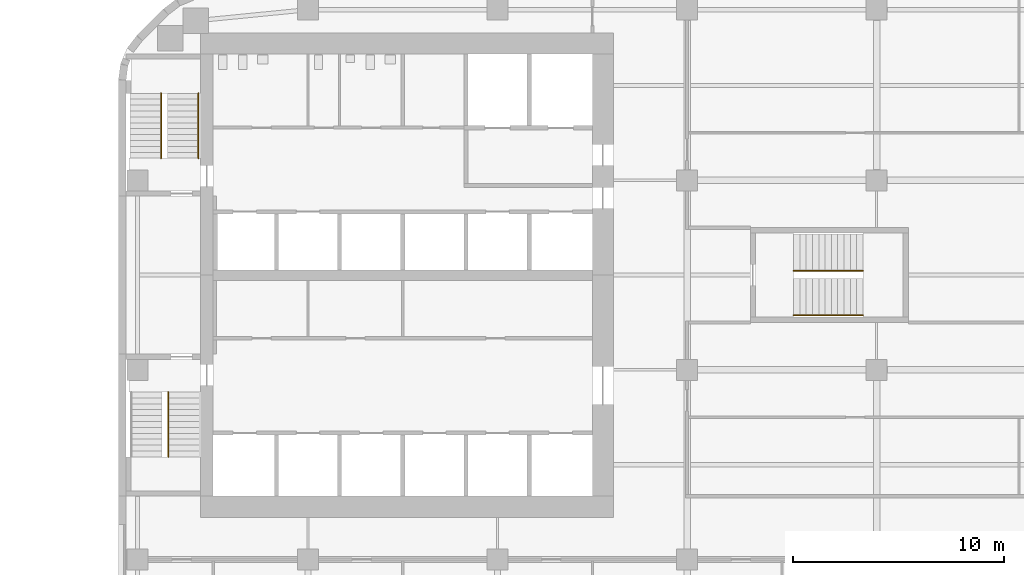
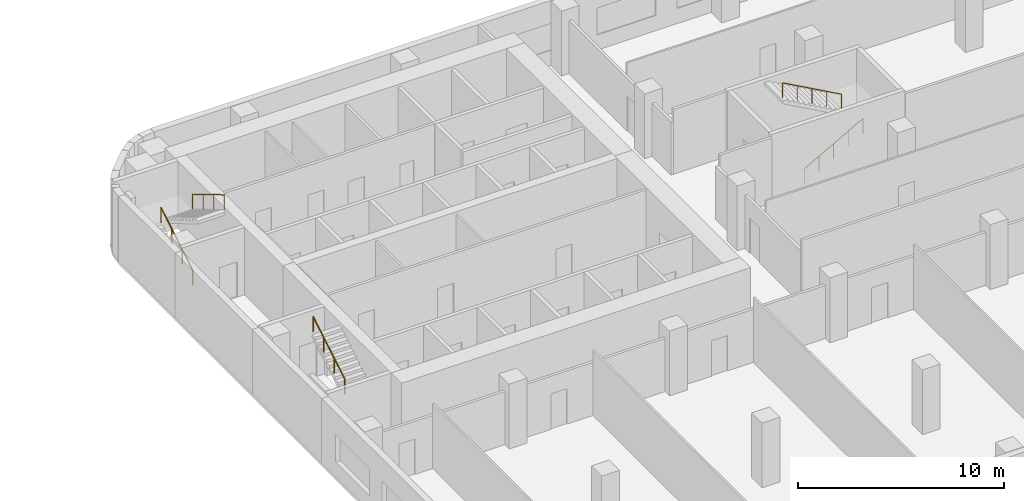
# One storey, part 14 of 15: 5 railings, 3 elements without a shape of their own.
"""IFC4 building model written with IfcOpenShell, lengths in metres."""

from ifc_helpers import new_model, si_unit, direction, frame, origin, origin_2d, place, context, subcontext, project, spatial, circle, extrude, material, type_object, element, aggregate, save


model = new_model("IFC4")

# Units and contexts
model_context = context("Model", 3, precision=1e-05, world=origin(), true_north=direction((0.0, 1.0)))
body_context = subcontext(model_context, "Body", "Model", "MODEL_VIEW")
ifc_project = project(units=[si_unit("LENGTHUNIT", "METRE"), si_unit("AREAUNIT", "SQUARE_METRE"), si_unit("VOLUMEUNIT", "CUBIC_METRE"), si_unit("PLANEANGLEUNIT", "RADIAN"), si_unit("MASSUNIT", "GRAM", prefix="KILO")], contexts=[model_context])

# Site, building, storey
site_placement = place(None, origin())
site = spatial("IfcSite", under=ifc_project, at=site_placement, CompositionType="ELEMENT")
building_placement = place(site_placement, origin())
building = spatial("IfcBuilding", under=site, at=building_placement, Name="Cinnabar Reach Civic Tower", CompositionType="ELEMENT")
storey_placement = place(building_placement, frame((0.0, 0.0, 87.0)))
storey = spatial("IfcBuildingStorey", under=building, at=storey_placement, Name="L20", CompositionType="ELEMENT", Elevation=87.0)

# Stair, railing
ifc_material_1 = material(Name="Concrete C40/50", Category="concrete")
stair_type = type_object("IfcStairType", Name="T1 Exit stair, half-turn", PredefinedType="HALF_TURN_STAIR", material=ifc_material_1)
stair_1_placement = place(storey_placement, origin())
stair_1 = element("IfcStair", 1, at=stair_1_placement, inside=storey, type_object=stair_type, Name="Stair T1-S1", PredefinedType="HALF_TURN_STAIR")
ifc_material_2 = material(Name="Stainless steel tube", Category="steel")
railing_type = type_object("IfcRailingType", Name="T1 Stair handrail, stainless tube 48", PredefinedType="HANDRAIL", material=ifc_material_2)
railing_1_placement = place(storey_placement, frame((2.375, 22.87, 2.1667)))
railing_1 = element("IfcRailing", 2, at=railing_1_placement, type_object=railing_type, Name="T1-S1 handrail 2", PredefinedType="HANDRAIL", context=body_context, shape_type="SweptSolid", body=[
    extrude(circle(Radius=0.024, at=origin_2d()), frame((0.0, 0.0, 0.876), z_axis=(0.0, 0.859296971757, 0.511476992962), x_axis=(-1.0, 0.0, 0.0)), (0.0, 0.0, 1.0), 3.5843),
    extrude(circle(Radius=0.021, at=origin_2d()), origin(), (0.0, 0.0, 1.0), 0.852),
    extrude(circle(Radius=0.021, at=origin_2d()), frame((0.0, 1.0267, 0.6111)), (0.0, 0.0, 1.0), 0.852),
    extrude(circle(Radius=0.021, at=origin_2d()), frame((0.0, 2.0533, 1.2222)), (0.0, 0.0, 1.0), 0.852),
    extrude(circle(Radius=0.021, at=origin_2d()), frame((0.0, 3.08, 1.8333)), (0.0, 0.0, 1.0), 0.852),
])
aggregate(stair_1, [railing_1])

# Stair, railings
stair_2_placement = place(storey_placement, origin())
stair_2 = element("IfcStair", 3, at=stair_2_placement, inside=storey, type_object=stair_type, Name="Stair T1-S2", PredefinedType="HALF_TURN_STAIR")
railing_2_placement = place(storey_placement, frame((2.025, 37.05, 0.1667)))
railing_2 = element("IfcRailing", 4, at=railing_2_placement, type_object=railing_type, Name="T1-S2 handrail 1", PredefinedType="HANDRAIL", context=body_context, shape_type="SweptSolid", body=[
    extrude(circle(Radius=0.024, at=origin_2d()), frame((0.0, 0.0, 0.876), z_axis=(0.0, 0.859296971757, 0.511476992962), x_axis=(-1.0, 0.0, 0.0)), (0.0, 0.0, 1.0), 3.5843),
    extrude(circle(Radius=0.021, at=origin_2d()), origin(), (0.0, 0.0, 1.0), 0.852),
    extrude(circle(Radius=0.021, at=origin_2d()), frame((0.0, 1.0267, 0.6111)), (0.0, 0.0, 1.0), 0.852),
    extrude(circle(Radius=0.021, at=origin_2d()), frame((0.0, 2.0533, 1.2222)), (0.0, 0.0, 1.0), 0.852),
    extrude(circle(Radius=0.021, at=origin_2d()), frame((0.0, 3.08, 1.8333)), (0.0, 0.0, 1.0), 0.852),
])
railing_3_placement = place(storey_placement, frame((3.8, 40.13, 2.1667)))
railing_3 = element("IfcRailing", 5, at=railing_3_placement, type_object=railing_type, Name="T1-S2 handrail 2", PredefinedType="HANDRAIL", context=body_context, shape_type="SweptSolid", body=[
    extrude(circle(Radius=0.024, at=origin_2d()), frame((0.0, 0.0, 0.876), z_axis=(0.0, -0.859296971757, 0.511476992962), x_axis=(1.0, 0.0, 0.0)), (0.0, 0.0, 1.0), 3.5843),
    extrude(circle(Radius=0.021, at=origin_2d()), origin(), (0.0, 0.0, 1.0), 0.852),
    extrude(circle(Radius=0.021, at=origin_2d()), frame((0.0, -1.0267, 0.6111)), (0.0, 0.0, 1.0), 0.852),
    extrude(circle(Radius=0.021, at=origin_2d()), frame((0.0, -2.0533, 1.2222)), (0.0, 0.0, 1.0), 0.852),
    extrude(circle(Radius=0.021, at=origin_2d()), frame((0.0, -3.08, 1.8333)), (0.0, 0.0, 1.0), 0.852),
])
aggregate(stair_2, [railing_2, railing_3])

stair_3_placement = place(storey_placement, origin())
stair_3 = element("IfcStair", 6, at=stair_3_placement, inside=storey, type_object=stair_type, Name="Stair T1-S3", PredefinedType="HALF_TURN_STAIR")
railing_4_placement = place(storey_placement, frame((32.05, 29.6, 0.1667)))
railing_4 = element("IfcRailing", 7, at=railing_4_placement, type_object=railing_type, Name="T1-S3 handrail 1", PredefinedType="HANDRAIL", context=body_context, shape_type="SweptSolid", body=[
    extrude(circle(Radius=0.024, at=origin_2d()), frame((0.0, 0.0, 0.876), z_axis=(0.874161024642, 0.0, 0.485636183781), x_axis=(0.0, 1.0, 0.0)), (0.0, 0.0, 1.0), 3.775),
    extrude(circle(Radius=0.021, at=origin_2d()), origin(), (0.0, 0.0, 1.0), 0.852),
    extrude(circle(Radius=0.021, at=origin_2d()), frame((0.825, 0.0, 0.4583)), (0.0, 0.0, 1.0), 0.852),
    extrude(circle(Radius=0.021, at=origin_2d()), frame((1.65, 0.0, 0.9166)), (0.0, 0.0, 1.0), 0.852),
    extrude(circle(Radius=0.021, at=origin_2d()), frame((2.475, 0.0, 1.375)), (0.0, 0.0, 1.0), 0.852),
    extrude(circle(Radius=0.021, at=origin_2d()), frame((3.3, 0.0, 1.8333)), (0.0, 0.0, 1.0), 0.852),
])
railing_5_placement = place(storey_placement, frame((35.35, 31.7, 2.1667)))
railing_5 = element("IfcRailing", 8, at=railing_5_placement, type_object=railing_type, Name="T1-S3 handrail 2", PredefinedType="HANDRAIL", context=body_context, shape_type="SweptSolid", body=[
    extrude(circle(Radius=0.024, at=origin_2d()), frame((0.0, 0.0, 0.876), z_axis=(-0.874161024642, 0.0, 0.485636183781), x_axis=(0.0, -1.0, 0.0)), (0.0, 0.0, 1.0), 3.775),
    extrude(circle(Radius=0.021, at=origin_2d()), origin(), (0.0, 0.0, 1.0), 0.852),
    extrude(circle(Radius=0.021, at=origin_2d()), frame((-0.825, 0.0, 0.4583)), (0.0, 0.0, 1.0), 0.852),
    extrude(circle(Radius=0.021, at=origin_2d()), frame((-1.65, 0.0, 0.9166)), (0.0, 0.0, 1.0), 0.852),
    extrude(circle(Radius=0.021, at=origin_2d()), frame((-2.475, 0.0, 1.375)), (0.0, 0.0, 1.0), 0.852),
    extrude(circle(Radius=0.021, at=origin_2d()), frame((-3.3, 0.0, 1.8333)), (0.0, 0.0, 1.0), 0.852),
])
aggregate(stair_3, [railing_4, railing_5])

save(model, "model.ifc")
